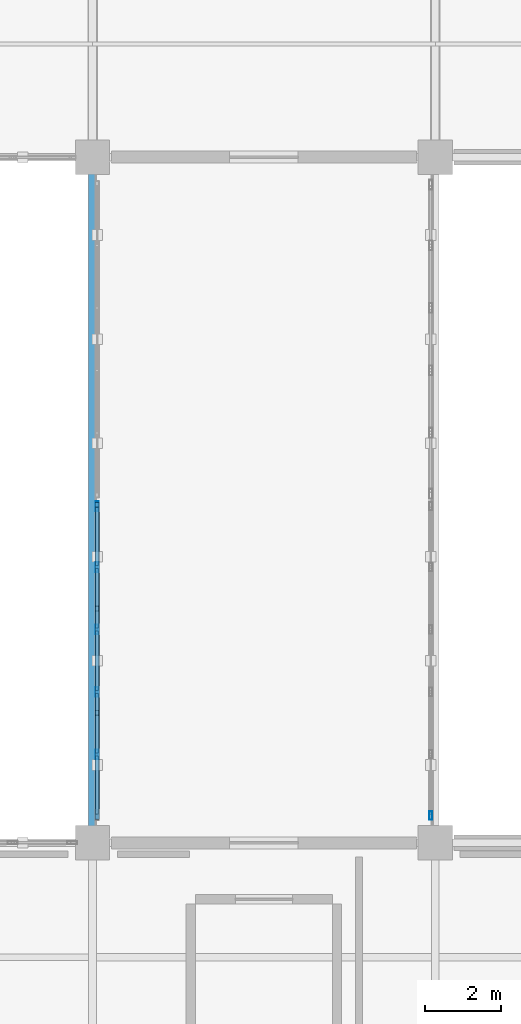
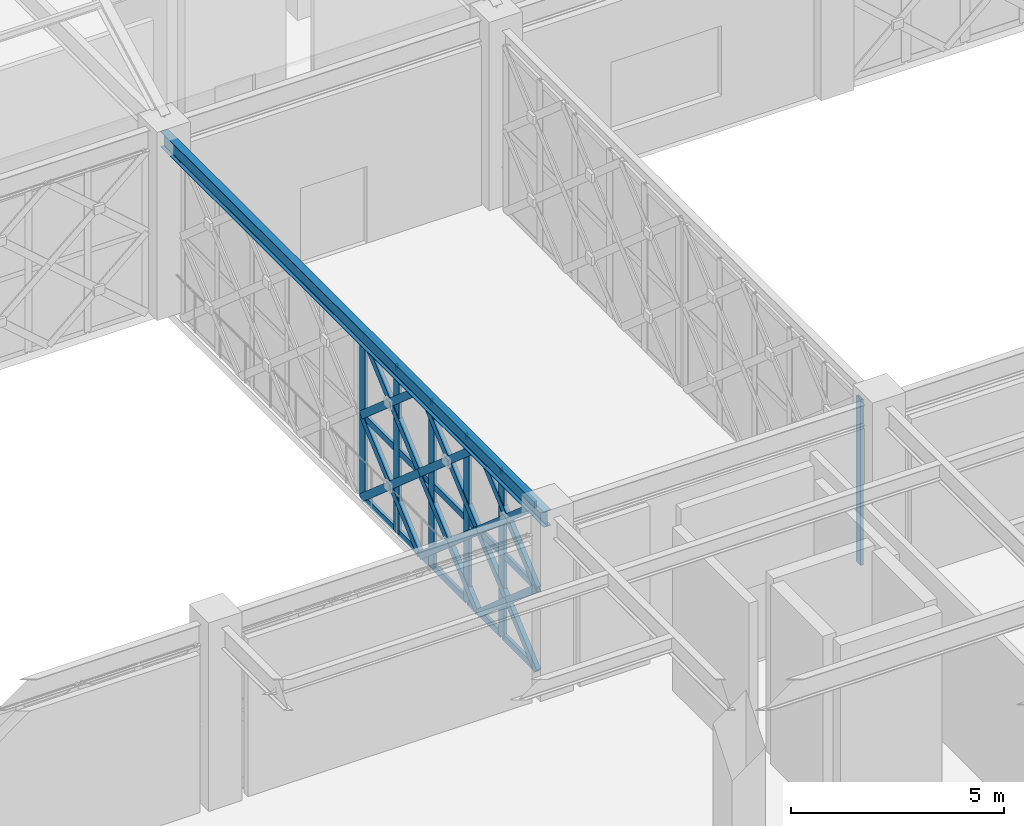
# One storey, part 18 of 166: 39 members, 1 beam, 2 elements without a shape of their own.
"""IFC4 building model written with IfcOpenShell, lengths in metres."""

from ifc_helpers import new_model, si_unit, direction, frame, origin, origin_2d, place, context, subcontext, project, spatial, hollow_rectangle, i_section, extrude, material, material_profile, profile_set, type_object, element, aggregate, save


model = new_model("IFC4")

# Units and contexts
model_context = context("Model", 3, precision=1e-05, world=origin(), true_north=direction((0.0, 1.0)))
body_context = subcontext(model_context, "Body", "Model", "MODEL_VIEW")
ifc_project = project(units=[si_unit("LENGTHUNIT", "METRE"), si_unit("AREAUNIT", "SQUARE_METRE"), si_unit("VOLUMEUNIT", "CUBIC_METRE"), si_unit("PLANEANGLEUNIT", "RADIAN"), si_unit("MASSUNIT", "GRAM", prefix="KILO")], contexts=[model_context])

# Site, building, storey
site_placement = place(None, origin())
site = spatial("IfcSite", under=ifc_project, at=site_placement, CompositionType="ELEMENT")
building_placement = place(site_placement, origin())
building = spatial("IfcBuilding", under=site, at=building_placement, Name="Haizhuo Lancet Aquarium", CompositionType="ELEMENT")
storey_placement = place(building_placement, frame((0.0, 0.0, 5.39990234375)))
storey = spatial("IfcBuildingStorey", under=building, at=storey_placement, Name="L01", CompositionType="ELEMENT", Elevation=5.39990234375)

# Curtain wall, member
ifc_material_1 = material(Name="Aluminium 6063-T6", Category="aluminium")
curtain_wall_type = type_object("IfcCurtainWallType", Name="CWO-8200x4750", PredefinedType="NOTDEFINED", material=ifc_material_1)
curtain_wall_1_placement = place(storey_placement, origin())
curtain_wall_1 = element("IfcCurtainWall", 1, at=curtain_wall_1_placement, inside=storey, type_object=curtain_wall_type, Name="L01 curtain wall CW-SB-01-E1", PredefinedType="NOTDEFINED")
ifc_material_profile_1 = material_profile(ifc_material_1, hollow_rectangle(XDim=0.074951171875, YDim=0.219970703125, WallThickness=0.0048828125, at=origin_2d()), Name="ALU-M 75x220x5")
ifc_profile_set_1 = profile_set([ifc_material_profile_1], Name="Aluminium 6063-T6")
member_type_1 = type_object("IfcMemberType", Name="CW-MUL-2", PredefinedType="MULLION", material=ifc_profile_set_1)
member_1_placement = place(storey_placement, frame((-54.1201171875, -8.282958984375, 0.0), z_axis=(0.0, 0.0, 1.0), x_axis=(1.0, 0.0, 0.0)))
member_1 = element("IfcMember", 2, at=member_1_placement, type_object=member_type_1, Name="CWO-82x47 mullion 6", PredefinedType="MULLION", context=body_context, shape_type="SweptSolid", body=[
    extrude(hollow_rectangle(XDim=0.074951171875, YDim=0.219970703125, WallThickness=0.0048828125, at=origin_2d()), origin(), (0.0, 0.0, 1.0), 4.75),
])
aggregate(curtain_wall_1, [member_1])

# Curtain wall, members
curtain_wall_2_placement = place(storey_placement, origin())
curtain_wall_2 = element("IfcCurtainWall", 3, at=curtain_wall_2_placement, inside=storey, type_object=curtain_wall_type, Name="L01 curtain wall CW-SB-01-W1", PredefinedType="NOTDEFINED")
ifc_material_profile_2 = material_profile(ifc_material_1, hollow_rectangle(XDim=0.080078125, YDim=0.260009765625, WallThickness=0.0048828125, at=origin_2d()), Name="ALU-M 80x260x5")
ifc_profile_set_2 = profile_set([ifc_material_profile_2], Name="Aluminium 6063-T6")
member_type_2 = type_object("IfcMemberType", Name="CW-MUL-3", PredefinedType="MULLION", material=ifc_profile_set_2)
member_2_placement = place(storey_placement, frame((-62.8798828125, -6.679931640625, 0.0), z_axis=(0.0, 0.0, 1.0), x_axis=(-1.0, 0.0, 0.0)))
member_2 = element("IfcMember", 4, at=member_2_placement, type_object=member_type_2, Name="CWO-82x47 mullion 2", PredefinedType="MULLION", context=body_context, shape_type="SweptSolid", body=[
    extrude(hollow_rectangle(XDim=0.080078125, YDim=0.260009765625, WallThickness=0.0048828125, at=origin_2d()), origin(), (0.0, 0.0, 1.0), 4.75),
])
member_3_placement = place(storey_placement, frame((-62.8798828125, -5.0400390625, 0.0), z_axis=(0.0, 0.0, 1.0), x_axis=(-1.0, 0.0, 0.0)))
member_3 = element("IfcMember", 5, at=member_3_placement, type_object=member_type_2, Name="CWO-82x47 mullion 3", PredefinedType="MULLION", context=body_context, shape_type="SweptSolid", body=[
    extrude(hollow_rectangle(XDim=0.080078125, YDim=0.260009765625, WallThickness=0.0048828125, at=origin_2d()), origin(), (0.0, 0.0, 1.0), 4.75),
])
member_4_placement = place(storey_placement, frame((-62.8798828125, -3.39990234375, 0.0), z_axis=(0.0, 0.0, 1.0), x_axis=(-1.0, 0.0, 0.0)))
member_4 = element("IfcMember", 6, at=member_4_placement, type_object=member_type_2, Name="CWO-82x47 mullion 4", PredefinedType="MULLION", context=body_context, shape_type="SweptSolid", body=[
    extrude(hollow_rectangle(XDim=0.080078125, YDim=0.260009765625, WallThickness=0.0048828125, at=origin_2d()), origin(), (0.0, 0.0, 1.0), 4.75),
])
member_5_placement = place(storey_placement, frame((-62.8798828125, -1.760009765625, 0.0), z_axis=(0.0, 0.0, 1.0), x_axis=(-1.0, 0.0, 0.0)))
member_5 = element("IfcMember", 7, at=member_5_placement, type_object=member_type_2, Name="CWO-82x47 mullion 5", PredefinedType="MULLION", context=body_context, shape_type="SweptSolid", body=[
    extrude(hollow_rectangle(XDim=0.080078125, YDim=0.260009765625, WallThickness=0.0048828125, at=origin_2d()), origin(), (0.0, 0.0, 1.0), 4.75),
])
member_6_placement = place(storey_placement, frame((-62.8798828125, -0.159912109375, 0.0), z_axis=(0.0, 0.0, 1.0), x_axis=(-1.0, 0.0, 0.0)))
member_6 = element("IfcMember", 8, at=member_6_placement, type_object=member_type_2, Name="CWO-82x47 mullion 6", PredefinedType="MULLION", context=body_context, shape_type="SweptSolid", body=[
    extrude(hollow_rectangle(XDim=0.080078125, YDim=0.260009765625, WallThickness=0.0048828125, at=origin_2d()), origin(), (0.0, 0.0, 1.0), 4.75),
])
ifc_material_profile_3 = material_profile(ifc_material_1, hollow_rectangle(XDim=0.080078125, YDim=0.18994140625, WallThickness=0.0048828125, at=origin_2d()), Name="ALU-T 80x190x5")
ifc_profile_set_3 = profile_set([ifc_material_profile_3], Name="Aluminium 6063-T6")
member_type_3 = type_object("IfcMemberType", Name="CW-TRN-3", PredefinedType="NOTDEFINED", material=ifc_profile_set_3)
member_7_placement = place(storey_placement, frame((-62.8798828125, -8.239990234375, 0.0400390625), z_axis=(0.0, 1.0, 0.0), x_axis=(-1.0, 0.0, 0.0)))
member_7 = element("IfcMember", 9, at=member_7_placement, type_object=member_type_3, Name="CWO-82x47 transom 1.1", ObjectType="TRANSOM", PredefinedType="USERDEFINED", context=body_context, shape_type="SweptSolid", body=[
    extrude(hollow_rectangle(XDim=0.080078125, YDim=0.18994140625, WallThickness=0.0048828125, at=origin_2d()), origin(), (0.0, 0.0, 1.0), 1.52001953125),
])
member_8_placement = place(storey_placement, frame((-62.8798828125, -8.239990234375, 2.375), z_axis=(0.0, 1.0, 0.0), x_axis=(-1.0, 0.0, 0.0)))
member_8 = element("IfcMember", 10, at=member_8_placement, type_object=member_type_3, Name="CWO-82x47 transom 1.2", ObjectType="TRANSOM", PredefinedType="USERDEFINED", context=body_context, shape_type="SweptSolid", body=[
    extrude(hollow_rectangle(XDim=0.080078125, YDim=0.18994140625, WallThickness=0.0048828125, at=origin_2d()), origin(), (0.0, 0.0, 1.0), 1.52001953125),
])
member_9_placement = place(storey_placement, frame((-62.8798828125, -8.239990234375, 4.710205078125), z_axis=(0.0, 1.0, 0.0), x_axis=(-1.0, 0.0, 0.0)))
member_9 = element("IfcMember", 11, at=member_9_placement, type_object=member_type_3, Name="CWO-82x47 transom 1.3", ObjectType="TRANSOM", PredefinedType="USERDEFINED", context=body_context, shape_type="SweptSolid", body=[
    extrude(hollow_rectangle(XDim=0.080078125, YDim=0.18994140625, WallThickness=0.0048828125, at=origin_2d()), origin(), (0.0, 0.0, 1.0), 1.52001953125),
])
member_10_placement = place(storey_placement, frame((-62.8798828125, -6.639892578125, 0.0400390625), z_axis=(0.0, 1.0, 0.0), x_axis=(-1.0, 0.0, 0.0)))
member_10 = element("IfcMember", 12, at=member_10_placement, type_object=member_type_3, Name="CWO-82x47 transom 2.1", ObjectType="TRANSOM", PredefinedType="USERDEFINED", context=body_context, shape_type="SweptSolid", body=[
    extrude(hollow_rectangle(XDim=0.080078125, YDim=0.18994140625, WallThickness=0.0048828125, at=origin_2d()), origin(), (0.0, 0.0, 1.0), 1.559814453125),
])
member_11_placement = place(storey_placement, frame((-62.8798828125, -6.639892578125, 2.375), z_axis=(0.0, 1.0, 0.0), x_axis=(-1.0, 0.0, 0.0)))
member_11 = element("IfcMember", 13, at=member_11_placement, type_object=member_type_3, Name="CWO-82x47 transom 2.2", ObjectType="TRANSOM", PredefinedType="USERDEFINED", context=body_context, shape_type="SweptSolid", body=[
    extrude(hollow_rectangle(XDim=0.080078125, YDim=0.18994140625, WallThickness=0.0048828125, at=origin_2d()), origin(), (0.0, 0.0, 1.0), 1.559814453125),
])
member_12_placement = place(storey_placement, frame((-62.8798828125, -6.639892578125, 4.710205078125), z_axis=(0.0, 1.0, 0.0), x_axis=(-1.0, 0.0, 0.0)))
member_12 = element("IfcMember", 14, at=member_12_placement, type_object=member_type_3, Name="CWO-82x47 transom 2.3", ObjectType="TRANSOM", PredefinedType="USERDEFINED", context=body_context, shape_type="SweptSolid", body=[
    extrude(hollow_rectangle(XDim=0.080078125, YDim=0.18994140625, WallThickness=0.0048828125, at=origin_2d()), origin(), (0.0, 0.0, 1.0), 1.559814453125),
])
member_13_placement = place(storey_placement, frame((-62.8798828125, -5.0, 0.0400390625), z_axis=(0.0, 1.0, 0.0), x_axis=(-1.0, 0.0, 0.0)))
member_13 = element("IfcMember", 15, at=member_13_placement, type_object=member_type_3, Name="CWO-82x47 transom 3.1", ObjectType="TRANSOM", PredefinedType="USERDEFINED", context=body_context, shape_type="SweptSolid", body=[
    extrude(hollow_rectangle(XDim=0.080078125, YDim=0.18994140625, WallThickness=0.0048828125, at=origin_2d()), origin(), (0.0, 0.0, 1.0), 1.56005859375),
])
member_14_placement = place(storey_placement, frame((-62.8798828125, -5.0, 2.375), z_axis=(0.0, 1.0, 0.0), x_axis=(-1.0, 0.0, 0.0)))
member_14 = element("IfcMember", 16, at=member_14_placement, type_object=member_type_3, Name="CWO-82x47 transom 3.2", ObjectType="TRANSOM", PredefinedType="USERDEFINED", context=body_context, shape_type="SweptSolid", body=[
    extrude(hollow_rectangle(XDim=0.080078125, YDim=0.18994140625, WallThickness=0.0048828125, at=origin_2d()), origin(), (0.0, 0.0, 1.0), 1.56005859375),
])
member_15_placement = place(storey_placement, frame((-62.8798828125, -5.0, 4.710205078125), z_axis=(0.0, 1.0, 0.0), x_axis=(-1.0, 0.0, 0.0)))
member_15 = element("IfcMember", 17, at=member_15_placement, type_object=member_type_3, Name="CWO-82x47 transom 3.3", ObjectType="TRANSOM", PredefinedType="USERDEFINED", context=body_context, shape_type="SweptSolid", body=[
    extrude(hollow_rectangle(XDim=0.080078125, YDim=0.18994140625, WallThickness=0.0048828125, at=origin_2d()), origin(), (0.0, 0.0, 1.0), 1.56005859375),
])
member_16_placement = place(storey_placement, frame((-62.8798828125, -3.360107421875, 0.0400390625), z_axis=(0.0, 1.0, 0.0), x_axis=(-1.0, 0.0, 0.0)))
member_16 = element("IfcMember", 18, at=member_16_placement, type_object=member_type_3, Name="CWO-82x47 transom 4.1", ObjectType="TRANSOM", PredefinedType="USERDEFINED", context=body_context, shape_type="SweptSolid", body=[
    extrude(hollow_rectangle(XDim=0.080078125, YDim=0.18994140625, WallThickness=0.0048828125, at=origin_2d()), origin(), (0.0, 0.0, 1.0), 1.56005859375),
])
member_17_placement = place(storey_placement, frame((-62.8798828125, -3.360107421875, 2.375), z_axis=(0.0, 1.0, 0.0), x_axis=(-1.0, 0.0, 0.0)))
member_17 = element("IfcMember", 19, at=member_17_placement, type_object=member_type_3, Name="CWO-82x47 transom 4.2", ObjectType="TRANSOM", PredefinedType="USERDEFINED", context=body_context, shape_type="SweptSolid", body=[
    extrude(hollow_rectangle(XDim=0.080078125, YDim=0.18994140625, WallThickness=0.0048828125, at=origin_2d()), origin(), (0.0, 0.0, 1.0), 1.56005859375),
])
member_18_placement = place(storey_placement, frame((-62.8798828125, -3.360107421875, 4.710205078125), z_axis=(0.0, 1.0, 0.0), x_axis=(-1.0, 0.0, 0.0)))
member_18 = element("IfcMember", 20, at=member_18_placement, type_object=member_type_3, Name="CWO-82x47 transom 4.3", ObjectType="TRANSOM", PredefinedType="USERDEFINED", context=body_context, shape_type="SweptSolid", body=[
    extrude(hollow_rectangle(XDim=0.080078125, YDim=0.18994140625, WallThickness=0.0048828125, at=origin_2d()), origin(), (0.0, 0.0, 1.0), 1.56005859375),
])
member_19_placement = place(storey_placement, frame((-62.8798828125, -1.719970703125, 0.0400390625), z_axis=(0.0, 1.0, 0.0), x_axis=(-1.0, 0.0, 0.0)))
member_19 = element("IfcMember", 21, at=member_19_placement, type_object=member_type_3, Name="CWO-82x47 transom 5.1", ObjectType="TRANSOM", PredefinedType="USERDEFINED", context=body_context, shape_type="SweptSolid", body=[
    extrude(hollow_rectangle(XDim=0.080078125, YDim=0.18994140625, WallThickness=0.0048828125, at=origin_2d()), origin(), (0.0, 0.0, 1.0), 1.52001953125),
])
member_20_placement = place(storey_placement, frame((-62.8798828125, -1.719970703125, 2.375), z_axis=(0.0, 1.0, 0.0), x_axis=(-1.0, 0.0, 0.0)))
member_20 = element("IfcMember", 22, at=member_20_placement, type_object=member_type_3, Name="CWO-82x47 transom 5.2", ObjectType="TRANSOM", PredefinedType="USERDEFINED", context=body_context, shape_type="SweptSolid", body=[
    extrude(hollow_rectangle(XDim=0.080078125, YDim=0.18994140625, WallThickness=0.0048828125, at=origin_2d()), origin(), (0.0, 0.0, 1.0), 1.52001953125),
])
member_21_placement = place(storey_placement, frame((-62.8798828125, -1.719970703125, 4.710205078125), z_axis=(0.0, 1.0, 0.0), x_axis=(-1.0, 0.0, 0.0)))
member_21 = element("IfcMember", 23, at=member_21_placement, type_object=member_type_3, Name="CWO-82x47 transom 5.3", ObjectType="TRANSOM", PredefinedType="USERDEFINED", context=body_context, shape_type="SweptSolid", body=[
    extrude(hollow_rectangle(XDim=0.080078125, YDim=0.18994140625, WallThickness=0.0048828125, at=origin_2d()), origin(), (0.0, 0.0, 1.0), 1.52001953125),
])
aggregate(curtain_wall_2, [member_2, member_3, member_4, member_5, member_6, member_7, member_8, member_9, member_10, member_11, member_12, member_13, member_14, member_15, member_16, member_17, member_18, member_19, member_20, member_21])

# Beam
ifc_material_2 = material(Name="Steel S355", Category="steel")
ifc_material_profile_4 = material_profile(ifc_material_2, i_section(OverallWidth=0.199951171875, OverallDepth=0.449951171875, WebThickness=0.009033203125, FlangeThickness=0.013916015625, FilletRadius=0.01806640625, at=origin_2d()), Name="HN 450x200x9x14")
ifc_profile_set_4 = profile_set([ifc_material_profile_4], Name="Steel S355")
beam_type = type_object("IfcBeamType", Name="JST-ST-HN450", PredefinedType="JOIST", material=ifc_profile_set_4)
beam_placement = place(storey_placement, frame((-63.0, -9.0, 4.815185546875), z_axis=(0.0, 1.0, 0.0), x_axis=(-1.0, 0.0, 0.0)))
element("IfcBeam", 24, at=beam_placement, inside=storey, type_object=beam_type, Name="Bridge roof longitudinal girder SB-01 1", PredefinedType="JOIST", context=body_context, shape_type="SweptSolid", body=[
    extrude(i_section(OverallWidth=0.199951171875, OverallDepth=0.449951171875, WebThickness=0.009033203125, FlangeThickness=0.013916015625, FilletRadius=0.01806640625, at=origin_2d()), origin(), (0.0, 0.0, 1.0), 18.0),
])

# Members
ifc_material_profile_5 = material_profile(ifc_material_2, hollow_rectangle(XDim=0.1201171875, YDim=0.199951171875, WallThickness=0.008056640625, at=origin_2d()), Name="RHS 120x200x8")
ifc_profile_set_5 = profile_set([ifc_material_profile_5], Name="Steel S355")
member_type_4 = type_object("IfcMemberType", Name="MEM-LB-RHS120x200", PredefinedType="BRACE", material=ifc_profile_set_5)
member_22_placement = place(storey_placement, frame((-62.8798828125, -8.320068359375, 0.0), z_axis=(0.0, 0.754831923432, 0.655918262719), x_axis=(-1.0, 0.0, 0.0)))
element("IfcMember", 25, at=member_22_placement, inside=storey, type_object=member_type_4, Name="Gothic lancet continuous diagonal brace CW-SB-01-W1 1A", PredefinedType="BRACE", context=body_context, shape_type="SweptSolid", body=[
    extrude(hollow_rectangle(XDim=0.1201171875, YDim=0.199951171875, WallThickness=0.008056640625, at=origin_2d()), origin(), (0.0, 0.0, 1.0), 3.620849609375),
])
member_23_placement = place(storey_placement, frame((-62.8798828125, -5.5869140625, 0.0), z_axis=(0.0, -0.754843428724, 0.655905022173), x_axis=(1.0, 0.0, 0.0)))
element("IfcMember", 26, at=member_23_placement, inside=storey, type_object=member_type_4, Name="Gothic lancet split diagonal brace CW-SB-01-W1 1B1", PredefinedType="BRACE", context=body_context, shape_type="SweptSolid", body=[
    extrude(hollow_rectangle(XDim=0.1201171875, YDim=0.199951171875, WallThickness=0.008056640625, at=origin_2d()), origin(), (0.0, 0.0, 1.0), 1.811279296875),
])
member_24_placement = place(storey_placement, frame((-62.8798828125, -6.9541015625, 1.18798828125), z_axis=(0.0, -0.754820407976, 0.655931514491), x_axis=(1.0, 0.0, 0.0)))
element("IfcMember", 27, at=member_24_placement, inside=storey, type_object=member_type_4, Name="Gothic lancet split diagonal brace CW-SB-01-W1 1B2", PredefinedType="BRACE", context=body_context, shape_type="SweptSolid", body=[
    extrude(hollow_rectangle(XDim=0.1201171875, YDim=0.199951171875, WallThickness=0.008056640625, at=origin_2d()), origin(), (0.0, 0.0, 1.0), 1.8095703125),
])
member_25_placement = place(storey_placement, frame((-62.8798828125, -8.320068359375, 2.375), z_axis=(0.0, 0.754831923432, 0.655918262719), x_axis=(-1.0, 0.0, 0.0)))
element("IfcMember", 28, at=member_25_placement, inside=storey, type_object=member_type_4, Name="Gothic lancet continuous diagonal brace CW-SB-01-W1 2A", PredefinedType="BRACE", context=body_context, shape_type="SweptSolid", body=[
    extrude(hollow_rectangle(XDim=0.1201171875, YDim=0.199951171875, WallThickness=0.008056640625, at=origin_2d()), origin(), (0.0, 0.0, 1.0), 3.620849609375),
])
member_26_placement = place(storey_placement, frame((-62.8798828125, -5.5869140625, 2.375), z_axis=(0.0, -0.754843428724, 0.655905022173), x_axis=(1.0, 0.0, 0.0)))
element("IfcMember", 29, at=member_26_placement, inside=storey, type_object=member_type_4, Name="Gothic lancet split diagonal brace CW-SB-01-W1 2B1", PredefinedType="BRACE", context=body_context, shape_type="SweptSolid", body=[
    extrude(hollow_rectangle(XDim=0.1201171875, YDim=0.199951171875, WallThickness=0.008056640625, at=origin_2d()), origin(), (0.0, 0.0, 1.0), 1.811279296875),
])
member_27_placement = place(storey_placement, frame((-62.8798828125, -6.9541015625, 3.56298828125), z_axis=(0.0, -0.754820407976, 0.655931514491), x_axis=(1.0, 0.0, 0.0)))
element("IfcMember", 30, at=member_27_placement, inside=storey, type_object=member_type_4, Name="Gothic lancet split diagonal brace CW-SB-01-W1 2B2", PredefinedType="BRACE", context=body_context, shape_type="SweptSolid", body=[
    extrude(hollow_rectangle(XDim=0.1201171875, YDim=0.199951171875, WallThickness=0.008056640625, at=origin_2d()), origin(), (0.0, 0.0, 1.0), 1.8095703125),
])
member_28_placement = place(storey_placement, frame((-62.8798828125, -5.5869140625, 0.0), z_axis=(0.0, 0.754918929071, 0.655818123058), x_axis=(-1.0, 0.0, 0.0)))
element("IfcMember", 31, at=member_28_placement, inside=storey, type_object=member_type_4, Name="Gothic lancet continuous diagonal brace CW-SB-01-W1 3A", PredefinedType="BRACE", context=body_context, shape_type="SweptSolid", body=[
    extrude(hollow_rectangle(XDim=0.1201171875, YDim=0.199951171875, WallThickness=0.008056640625, at=origin_2d()), origin(), (0.0, 0.0, 1.0), 3.621337890625),
])
member_29_placement = place(storey_placement, frame((-62.8798828125, -2.85302734375, 0.0), z_axis=(0.0, -0.754785430186, 0.655971763401), x_axis=(1.0, 0.0, 0.0)))
element("IfcMember", 32, at=member_29_placement, inside=storey, type_object=member_type_4, Name="Gothic lancet split diagonal brace CW-SB-01-W1 3B1", PredefinedType="BRACE", context=body_context, shape_type="SweptSolid", body=[
    extrude(hollow_rectangle(XDim=0.1201171875, YDim=0.199951171875, WallThickness=0.008056640625, at=origin_2d()), origin(), (0.0, 0.0, 1.0), 1.81103515625),
])
member_30_placement = place(storey_placement, frame((-62.8798828125, -4.219970703125, 1.18798828125), z_axis=(0.0, -0.755052443892, 0.655664401179), x_axis=(1.0, 0.0, 0.0)))
element("IfcMember", 33, at=member_30_placement, inside=storey, type_object=member_type_4, Name="Gothic lancet split diagonal brace CW-SB-01-W1 3B2", PredefinedType="BRACE", context=body_context, shape_type="SweptSolid", body=[
    extrude(hollow_rectangle(XDim=0.1201171875, YDim=0.199951171875, WallThickness=0.008056640625, at=origin_2d()), origin(), (0.0, 0.0, 1.0), 1.810302734375),
])
member_31_placement = place(storey_placement, frame((-62.8798828125, -5.5869140625, 2.375), z_axis=(0.0, 0.754918929071, 0.655818123058), x_axis=(-1.0, 0.0, 0.0)))
element("IfcMember", 34, at=member_31_placement, inside=storey, type_object=member_type_4, Name="Gothic lancet continuous diagonal brace CW-SB-01-W1 4A", PredefinedType="BRACE", context=body_context, shape_type="SweptSolid", body=[
    extrude(hollow_rectangle(XDim=0.1201171875, YDim=0.199951171875, WallThickness=0.008056640625, at=origin_2d()), origin(), (0.0, 0.0, 1.0), 3.621337890625),
])
member_32_placement = place(storey_placement, frame((-62.8798828125, -2.85302734375, 2.375), z_axis=(0.0, -0.754785430186, 0.655971763401), x_axis=(1.0, 0.0, 0.0)))
element("IfcMember", 35, at=member_32_placement, inside=storey, type_object=member_type_4, Name="Gothic lancet split diagonal brace CW-SB-01-W1 4B1", PredefinedType="BRACE", context=body_context, shape_type="SweptSolid", body=[
    extrude(hollow_rectangle(XDim=0.1201171875, YDim=0.199951171875, WallThickness=0.008056640625, at=origin_2d()), origin(), (0.0, 0.0, 1.0), 1.81103515625),
])
member_33_placement = place(storey_placement, frame((-62.8798828125, -4.219970703125, 3.56298828125), z_axis=(0.0, -0.755052443892, 0.655664401179), x_axis=(1.0, 0.0, 0.0)))
element("IfcMember", 36, at=member_33_placement, inside=storey, type_object=member_type_4, Name="Gothic lancet split diagonal brace CW-SB-01-W1 4B2", PredefinedType="BRACE", context=body_context, shape_type="SweptSolid", body=[
    extrude(hollow_rectangle(XDim=0.1201171875, YDim=0.199951171875, WallThickness=0.008056640625, at=origin_2d()), origin(), (0.0, 0.0, 1.0), 1.810302734375),
])
member_34_placement = place(storey_placement, frame((-62.8798828125, -2.85302734375, 0.0), z_axis=(0.0, 0.754802912694, 0.655951646837), x_axis=(-1.0, 0.0, 0.0)))
element("IfcMember", 37, at=member_34_placement, inside=storey, type_object=member_type_4, Name="Gothic lancet continuous diagonal brace CW-SB-01-W1 5A", PredefinedType="BRACE", context=body_context, shape_type="SweptSolid", body=[
    extrude(hollow_rectangle(XDim=0.1201171875, YDim=0.199951171875, WallThickness=0.008056640625, at=origin_2d()), origin(), (0.0, 0.0, 1.0), 3.62060546875),
])
member_35_placement = place(storey_placement, frame((-62.8798828125, -0.1201171875, 0.0), z_axis=(0.0, -0.754785430186, 0.655971763401), x_axis=(1.0, 0.0, 0.0)))
element("IfcMember", 38, at=member_35_placement, inside=storey, type_object=member_type_4, Name="Gothic lancet split diagonal brace CW-SB-01-W1 5B1", PredefinedType="BRACE", context=body_context, shape_type="SweptSolid", body=[
    extrude(hollow_rectangle(XDim=0.1201171875, YDim=0.199951171875, WallThickness=0.008056640625, at=origin_2d()), origin(), (0.0, 0.0, 1.0), 1.81103515625),
])
member_36_placement = place(storey_placement, frame((-62.8798828125, -1.487060546875, 1.18798828125), z_axis=(0.0, -0.754820407976, 0.655931514491), x_axis=(1.0, 0.0, 0.0)))
element("IfcMember", 39, at=member_36_placement, inside=storey, type_object=member_type_4, Name="Gothic lancet split diagonal brace CW-SB-01-W1 5B2", PredefinedType="BRACE", context=body_context, shape_type="SweptSolid", body=[
    extrude(hollow_rectangle(XDim=0.1201171875, YDim=0.199951171875, WallThickness=0.008056640625, at=origin_2d()), origin(), (0.0, 0.0, 1.0), 1.8095703125),
])
member_37_placement = place(storey_placement, frame((-62.8798828125, -2.85302734375, 2.375), z_axis=(0.0, 0.754802912694, 0.655951646837), x_axis=(-1.0, 0.0, 0.0)))
element("IfcMember", 40, at=member_37_placement, inside=storey, type_object=member_type_4, Name="Gothic lancet continuous diagonal brace CW-SB-01-W1 6A", PredefinedType="BRACE", context=body_context, shape_type="SweptSolid", body=[
    extrude(hollow_rectangle(XDim=0.1201171875, YDim=0.199951171875, WallThickness=0.008056640625, at=origin_2d()), origin(), (0.0, 0.0, 1.0), 3.62060546875),
])
member_38_placement = place(storey_placement, frame((-62.8798828125, -0.1201171875, 2.375), z_axis=(0.0, -0.754785430186, 0.655971763401), x_axis=(1.0, 0.0, 0.0)))
element("IfcMember", 41, at=member_38_placement, inside=storey, type_object=member_type_4, Name="Gothic lancet split diagonal brace CW-SB-01-W1 6B1", PredefinedType="BRACE", context=body_context, shape_type="SweptSolid", body=[
    extrude(hollow_rectangle(XDim=0.1201171875, YDim=0.199951171875, WallThickness=0.008056640625, at=origin_2d()), origin(), (0.0, 0.0, 1.0), 1.81103515625),
])
member_39_placement = place(storey_placement, frame((-62.8798828125, -1.487060546875, 3.56298828125), z_axis=(0.0, -0.754820407976, 0.655931514491), x_axis=(1.0, 0.0, 0.0)))
element("IfcMember", 42, at=member_39_placement, inside=storey, type_object=member_type_4, Name="Gothic lancet split diagonal brace CW-SB-01-W1 6B2", PredefinedType="BRACE", context=body_context, shape_type="SweptSolid", body=[
    extrude(hollow_rectangle(XDim=0.1201171875, YDim=0.199951171875, WallThickness=0.008056640625, at=origin_2d()), origin(), (0.0, 0.0, 1.0), 1.8095703125),
])

save(model, "model.ifc")
